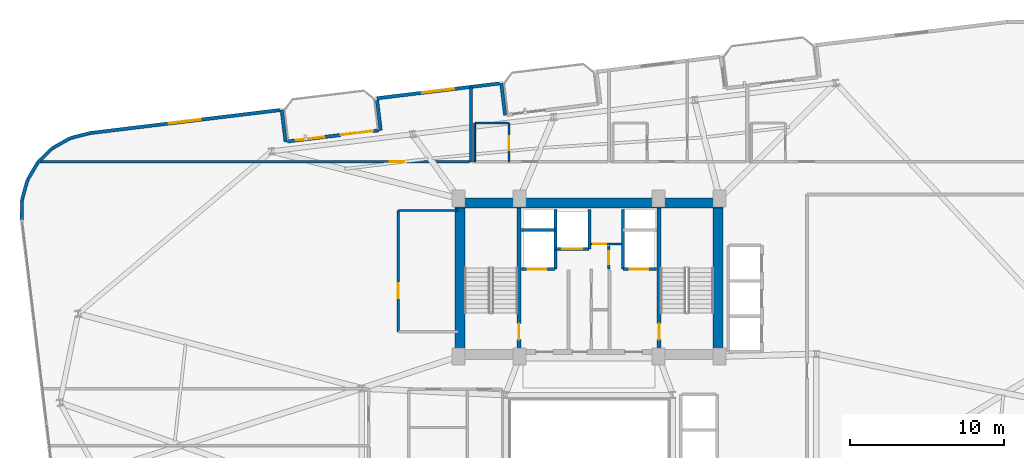
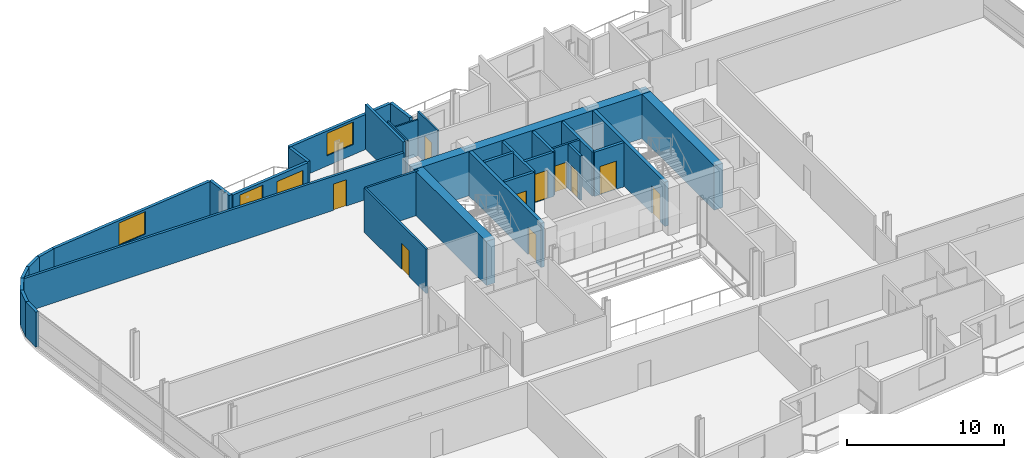
# One storey, part 16 of 22: 33 walls, 11 doors, 3 windows, 14 openings.
"""IFC4 building model written with IfcOpenShell, lengths in metres."""

from ifc_helpers import new_model, si_unit, direction, frame, frame_2d, origin, place, context, subcontext, project, spatial, rectangle, extrude, material, layer, layer_set, type_object, element, fill, save


model = new_model("IFC4")

# Units and contexts
model_context = context("Model", 3, precision=1e-05, world=origin(), true_north=direction((0.0, 1.0)))
body_context = subcontext(model_context, "Body", "Model", "MODEL_VIEW")
ifc_project = project(units=[si_unit("LENGTHUNIT", "METRE"), si_unit("AREAUNIT", "SQUARE_METRE"), si_unit("VOLUMEUNIT", "CUBIC_METRE"), si_unit("PLANEANGLEUNIT", "RADIAN"), si_unit("MASSUNIT", "GRAM", prefix="KILO")], contexts=[model_context])

# Site, building, storey
site_placement = place(None, origin())
site = spatial("IfcSite", under=ifc_project, at=site_placement, CompositionType="ELEMENT")
building_placement = place(site_placement, origin())
building = spatial("IfcBuilding", under=site, at=building_placement, Name="Varnelok Gate Tower", CompositionType="ELEMENT")
storey_placement = place(building_placement, frame((0.0, 0.0, 185.699951171875)))
storey = spatial("IfcBuildingStorey", under=building, at=storey_placement, Name="L47", CompositionType="ELEMENT", Elevation=185.699951171875)

# Wall, openings, door, window
ifc_material_1 = material(Name="Concrete C45/55", Category="concrete")
ifc_layer_1 = layer(ifc_material_1, 0.219970703125)
ifc_layer_set_1 = layer_set([ifc_layer_1], Name="Concrete C45/55")
wall_type_1 = type_object("IfcWallType", Name="EW-BALC-220", PredefinedType="SOLIDWALL", material=ifc_layer_set_1)
wall_1_placement = place(storey_placement, frame((19.556884765625, 42.7529296875, 0.0), z_axis=(0.0, 0.0, 1.0), x_axis=(0.992729951822, 0.120362962556, 0.0)))
wall_1 = element("IfcWall", 1, at=wall_1_placement, inside=storey, type_object=wall_type_1, Name="L47 North Terrace Envelope Wall 4", PredefinedType="SOLIDWALL", context=body_context, shape_type="SweptSolid", body=[
    extrude(rectangle(XDim=6.0, YDim=0.219970703125, at=frame_2d((3.0, 0.0))), origin(), (0.0, 0.0, 1.0), 2.72998046875),
])
opening_1_placement = place(wall_1_placement, frame((3.5, 0.0, 0.0)))
opening_1 = element("IfcOpeningElement", 2, at=opening_1_placement, cuts=wall_1, Name="Opening BD-2", PredefinedType="OPENING", context=body_context, shape_type="SweptSolid", body=[
    extrude(rectangle(XDim=2.10009765625, YDim=2.300048828125, at=frame_2d((1.050048828125, 1.14990234375))), frame((0.0, 0.119873046875, 0.0), z_axis=(0.0, -1.0, 0.0), x_axis=(1.0, 0.0, 0.0)), (0.0, 0.0, 1.0), 0.239990234375),
])
opening_2_placement = place(wall_1_placement, frame((0.550048828125, 0.0, 0.75)))
opening_2 = element("IfcOpeningElement", 3, at=opening_2_placement, cuts=wall_1, Name="Opening WN5", PredefinedType="OPENING", context=body_context, shape_type="SweptSolid", body=[
    extrude(rectangle(XDim=1.85009765625, YDim=1.75, at=frame_2d((0.925048828125, 0.875))), frame((0.0, 0.119873046875, 0.0), z_axis=(0.0, -1.0, 0.0), x_axis=(1.0, 0.0, 0.0)), (0.0, 0.0, 1.0), 0.239990234375),
])
ifc_material_2 = material(Name="Anodized Aluminum Alloy 6063-T6", Category="aluminium")
door_type_1 = type_object("IfcDoorType", Name="DR-EXT-SLID2100", OperationType="SLIDING_TO_LEFT", PredefinedType="DOOR", material=ifc_material_2)
door_1_placement = place(opening_1_placement, origin())
door_1 = element("IfcDoor", 4, at=door_1_placement, inside=storey, type_object=door_type_1, Name="L47 North Balcony Glazed Door 4", OperationType="SLIDING_TO_LEFT", OverallHeight=2.300048828125, OverallWidth=2.10009765625, PredefinedType="DOOR", context=body_context, shape_type="SweptSolid", body=[
    extrude(rectangle(XDim=2.10009765625, YDim=2.300048828125, at=frame_2d((1.050048828125, 1.14990234375))), frame((0.0, 0.02490234375, 0.0), z_axis=(0.0, -1.0, 0.0), x_axis=(1.0, 0.0, 0.0)), (0.0, 0.0, 1.0), 0.050048828125),
])
fill(opening_1, door_1)
ifc_material_3 = material(Name="Low-E Laminated Double Glazing IGU", Category="glass")
window_type_1 = type_object("IfcWindowType", Name="WN-RES-1850", PartitioningType="SINGLE_PANEL", PredefinedType="WINDOW", material=ifc_material_3)
window_1_placement = place(opening_2_placement, origin())
window_1 = element("IfcWindow", 5, at=window_1_placement, inside=storey, type_object=window_type_1, Name="L47 North Vision Window 4.1", OverallHeight=1.75, OverallWidth=1.85009765625, PartitioningType="SINGLE_PANEL", PredefinedType="WINDOW", context=body_context, shape_type="SweptSolid", body=[
    extrude(rectangle(XDim=1.85009765625, YDim=1.75, at=frame_2d((0.925048828125, 0.875))), frame((0.0, 0.030029296875, 0.0), z_axis=(0.0, -1.0, 0.0), x_axis=(1.0, 0.0, 0.0)), (0.0, 0.0, 1.0), 0.06005859375),
])
fill(opening_2, window_1)

# Wall
wall_2_placement = place(storey_placement, frame((33.734375, 44.46142578125, 0.0), z_axis=(0.0, 0.0, 1.0), x_axis=(-0.120327895535, 0.992734202874, 0.0)))
element("IfcWall", 6, at=wall_2_placement, inside=storey, type_object=wall_type_1, Name="L47 Perimeter Facade Closure Wall 34", PredefinedType="SOLIDWALL", context=body_context, shape_type="SweptSolid", body=[
    extrude(rectangle(XDim=2.099853515625, YDim=0.219970703125, at=frame_2d((1.0498046875, 0.0))), origin(), (0.0, 0.0, 1.0), 2.72998046875),
])

# Wall, opening, window
wall_3_placement = place(storey_placement, frame((33.357421875, 46.53125, 0.0), z_axis=(0.0, 0.0, 1.0), x_axis=(-0.992731032022, -0.120354052946, 0.0)))
wall_3 = element("IfcWall", 7, at=wall_3_placement, inside=storey, type_object=wall_type_1, Name="L47 Perimeter Facade Closure Wall 35", PredefinedType="SOLIDWALL", context=body_context, shape_type="SweptSolid", body=[
    extrude(rectangle(XDim=8.034912109375, YDim=0.219970703125, at=frame_2d((4.017578125, 0.0))), origin(), (0.0, 0.0, 1.0), 2.72998046875),
])
opening_3_placement = place(wall_3_placement, frame((2.967529296875, 0.0, 0.800048828125)))
opening_3 = element("IfcOpeningElement", 8, at=opening_3_placement, cuts=wall_3, Name="Opening WN4", PredefinedType="OPENING", context=body_context, shape_type="SweptSolid", body=[
    extrude(rectangle(XDim=2.10009765625, YDim=1.75, at=frame_2d((1.050048828125, 0.875))), frame((0.0, 0.119873046875, 0.0), z_axis=(0.0, -1.0, 0.0), x_axis=(1.0, 0.0, 0.0)), (0.0, 0.0, 1.0), 0.239990234375),
])
window_type_2 = type_object("IfcWindowType", Name="WN-SUI-2100", PartitioningType="SINGLE_PANEL", PredefinedType="WINDOW", material=ifc_material_3)
window_2_placement = place(opening_3_placement, origin())
window_2 = element("IfcWindow", 9, at=window_2_placement, inside=storey, type_object=window_type_2, Name="L47 Perimeter Vision Window 35", OverallHeight=1.75, OverallWidth=2.10009765625, PartitioningType="SINGLE_PANEL", PredefinedType="WINDOW", context=body_context, shape_type="SweptSolid", body=[
    extrude(rectangle(XDim=2.10009765625, YDim=1.75, at=frame_2d((1.050048828125, 0.875))), frame((0.0, 0.030029296875, 0.0), z_axis=(0.0, -1.0, 0.0), x_axis=(1.0, 0.0, 0.0)), (0.0, 0.0, 1.0), 0.06005859375),
])
fill(opening_3, window_2)

# Walls
wall_4_placement = place(storey_placement, frame((25.39599609375, 45.440185546875, 0.0), z_axis=(0.0, 0.0, 1.0), x_axis=(0.120275992932, -0.992740492538, 0.0)))
element("IfcWall", 10, at=wall_4_placement, inside=storey, type_object=wall_type_1, Name="L47 Perimeter Facade Closure Wall 36", PredefinedType="SOLIDWALL", context=body_context, shape_type="SweptSolid", body=[
    extrude(rectangle(XDim=1.97509765625, YDim=0.219970703125, at=frame_2d((0.987548828125, 0.0))), origin(), (0.0, 0.0, 1.0), 2.72998046875),
])
wall_5_placement = place(storey_placement, frame((19.43896484375, 42.728515625, 0.0), z_axis=(0.0, 0.0, 1.0), x_axis=(-0.120327895535, 0.992734202874, 0.0)))
element("IfcWall", 11, at=wall_5_placement, inside=storey, type_object=wall_type_1, Name="L47 Perimeter Facade Closure Wall 37", PredefinedType="SOLIDWALL", context=body_context, shape_type="SweptSolid", body=[
    extrude(rectangle(XDim=2.099853515625, YDim=0.219970703125, at=frame_2d((1.0498046875, 0.0))), origin(), (0.0, 0.0, 1.0), 2.72998046875),
])

# Wall, opening, window
wall_6_placement = place(storey_placement, frame((19.06201171875, 44.798095703125, 0.0), z_axis=(0.0, 0.0, 1.0), x_axis=(-0.992733569027, -0.120333124809, 0.0)))
wall_6 = element("IfcWall", 12, at=wall_6_placement, inside=storey, type_object=wall_type_1, Name="L47 Perimeter Facade Closure Wall 38", PredefinedType="SOLIDWALL", context=body_context, shape_type="SweptSolid", body=[
    extrude(rectangle(XDim=12.447021484375, YDim=0.219970703125, at=frame_2d((6.2236328125, 0.0))), origin(), (0.0, 0.0, 1.0), 2.72998046875),
])
opening_4_placement = place(wall_6_placement, frame((5.173583984375, 0.0, 0.800048828125)))
opening_4 = element("IfcOpeningElement", 13, at=opening_4_placement, cuts=wall_6, Name="Opening WN4", PredefinedType="OPENING", context=body_context, shape_type="SweptSolid", body=[
    extrude(rectangle(XDim=2.10009765625, YDim=1.75, at=frame_2d((1.050048828125, 0.875))), frame((0.0, 0.119873046875, 0.0), z_axis=(0.0, -1.0, 0.0), x_axis=(1.0, 0.0, 0.0)), (0.0, 0.0, 1.0), 0.239990234375),
])
window_3_placement = place(opening_4_placement, origin())
window_3 = element("IfcWindow", 14, at=window_3_placement, inside=storey, type_object=window_type_2, Name="L47 Perimeter Vision Window 38", OverallHeight=1.75, OverallWidth=2.10009765625, PartitioningType="SINGLE_PANEL", PredefinedType="WINDOW", context=body_context, shape_type="SweptSolid", body=[
    extrude(rectangle(XDim=2.10009765625, YDim=1.75, at=frame_2d((1.050048828125, 0.875))), frame((0.0, 0.030029296875, 0.0), z_axis=(0.0, -1.0, 0.0), x_axis=(1.0, 0.0, 0.0)), (0.0, 0.0, 1.0), 0.06005859375),
])
fill(opening_4, window_3)

# Walls
wall_7_placement = place(storey_placement, frame((6.68115234375, 43.294189453125, 0.0), z_axis=(0.0, 0.0, 1.0), x_axis=(-0.968496788899, -0.2490260426, 0.0)))
element("IfcWall", 15, at=wall_7_placement, inside=storey, type_object=wall_type_1, Name="L47 Perimeter Facade Closure Wall 39", PredefinedType="SOLIDWALL", context=body_context, shape_type="SweptSolid", body=[
    extrude(rectangle(XDim=1.308837890625, YDim=0.219970703125, at=frame_2d((0.654296875, 0.0))), origin(), (0.0, 0.0, 1.0), 2.72998046875),
])
for number, where, z_axis, x_axis, name in (
    (16, (5.391845703125, 42.9560546875, 0.0), (0.0, 0.0, 1.0), (-0.87105877335, -0.491178799797, 0.0), "L47 Perimeter Facade Closure Wall 40"),
    (17, (4.24072265625, 42.299560546875, 0.0), (0.0, 0.0, 1.0), (-0.714389219205, -0.699748557329, 0.0), "L47 Perimeter Facade Closure Wall 41"),
):
    element("IfcWall", number, at=place(storey_placement, frame(where, z_axis=z_axis, x_axis=x_axis)), inside=storey, type_object=wall_type_1, Name=name, PredefinedType="SOLIDWALL", context=body_context, shape_type="SweptSolid", body=[
        extrude(rectangle(XDim=1.30078125, YDim=0.219970703125, at=frame_2d((0.650390625, 0.0))), origin(), (0.0, 0.0, 1.0), 2.72998046875),
    ])
wall_8_placement = place(storey_placement, frame((3.298583984375, 41.367919921875, 0.0), z_axis=(0.0, 0.0, 1.0), x_axis=(-0.508716668029, -0.860933999601, 0.0)))
element("IfcWall", 18, at=wall_8_placement, inside=storey, type_object=wall_type_1, Name="L47 Perimeter Facade Closure Wall 42", PredefinedType="SOLIDWALL", context=body_context, shape_type="SweptSolid", body=[
    extrude(rectangle(XDim=1.301025390625, YDim=0.219970703125, at=frame_2d((0.650390625, 0.0))), origin(), (0.0, 0.0, 1.0), 2.72998046875),
])
for number, where, z_axis, x_axis, name in (
    (19, (2.630126953125, 40.223876953125, 0.0), (0.0, 0.0, 1.0), (-0.26876657226, -0.963205341366, 0.0), "L47 Perimeter Facade Closure Wall 43"),
    (20, (2.2802734375, 38.94580078125, 0.0), (0.0, 0.0, 1.0), (-0.01013461463, -0.999948643474, 0.0), "L47 Perimeter Facade Closure Wall 44"),
):
    element("IfcWall", number, at=place(storey_placement, frame(where, z_axis=z_axis, x_axis=x_axis)), inside=storey, type_object=wall_type_1, Name=name, PredefinedType="SOLIDWALL", context=body_context, shape_type="SweptSolid", body=[
        extrude(rectangle(XDim=1.30078125, YDim=0.219970703125, at=frame_2d((0.650390625, 0.0))), origin(), (0.0, 0.0, 1.0), 2.72998046875),
    ])

# Wall, opening, door
ifc_material_4 = material(Name="Gypsum Plasterboard Acoustic Partition", Category="gypsum")
ifc_layer_2 = layer(ifc_material_4, 0.179931640625)
ifc_layer_set_2 = layer_set([ifc_layer_2], Name="Gypsum Plasterboard Acoustic Partition")
wall_type_2 = type_object("IfcWallType", Name="PW-CORR-180", PredefinedType="PARTITIONING", material=ifc_layer_set_2)
wall_9_placement = place(storey_placement, frame((3.39306640625, 41.429931640625, 0.0), z_axis=(0.0, 0.0, 1.0), x_axis=(1.0, 0.0, 0.0)))
wall_9 = element("IfcWall", 21, at=wall_9_placement, inside=storey, type_object=wall_type_2, Name="Interior Partition", PredefinedType="PARTITIONING", context=body_context, shape_type="SweptSolid", body=[
    extrude(rectangle(XDim=28.02685546875, YDim=0.179931640625, at=frame_2d((14.013427734375, 0.0))), origin(), (0.0, 0.0, 1.0), 2.662109375),
])
opening_5_placement = place(wall_9_placement, frame((22.83203125, 0.0, 0.0)))
opening_5 = element("IfcOpeningElement", 22, at=opening_5_placement, cuts=wall_9, Name="Opening D-I2", PredefinedType="OPENING", context=body_context, shape_type="SweptSolid", body=[
    extrude(rectangle(XDim=0.949951171875, YDim=2.050048828125, at=frame_2d((0.47509765625, 1.02490234375))), frame((0.0, 0.099853515625, 0.0), z_axis=(0.0, -1.0, 0.0), x_axis=(1.0, 0.0, 0.0)), (0.0, 0.0, 1.0), 0.199951171875),
])
ifc_material_5 = material(Name="Engineered Hardwood Timber", Category="wood")
door_type_2 = type_object("IfcDoorType", Name="DR-INT-950", OperationType="NOTDEFINED", PredefinedType="DOOR", material=ifc_material_5)
door_2_placement = place(opening_5_placement, origin())
door_2 = element("IfcDoor", 23, at=door_2_placement, inside=storey, type_object=door_type_2, Name="L47 Sky Library Door", OperationType="SINGLE_SWING_LEFT", OverallHeight=2.050048828125, OverallWidth=0.949951171875, PredefinedType="DOOR", context=body_context, shape_type="SweptSolid", body=[
    extrude(rectangle(XDim=0.949951171875, YDim=2.050048828125, at=frame_2d((0.47509765625, 1.02490234375))), frame((0.0, 0.02490234375, 0.0), z_axis=(0.0, -1.0, 0.0), x_axis=(1.0, 0.0, 0.0)), (0.0, 0.0, 1.0), 0.050048828125),
])
fill(opening_5, door_2)

# Wall
ifc_layer_3 = layer(ifc_material_4, 0.114990234375)
ifc_layer_set_3 = layer_set([ifc_layer_3], Name="Gypsum Plasterboard Acoustic Partition")
wall_type_3 = type_object("IfcWallType", Name="PW-ENS-125", PredefinedType="PARTITIONING", material=ifc_layer_set_3)
wall_10_placement = place(storey_placement, frame((31.800048828125, 43.949951171875, 0.0), z_axis=(0.0, 0.0, 1.0), x_axis=(1.0, 0.0, 0.0)))
element("IfcWall", 24, at=wall_10_placement, inside=storey, type_object=wall_type_3, Name="Interior Partition", PredefinedType="PARTITIONING", context=body_context, shape_type="SweptSolid", body=[
    extrude(rectangle(XDim=2.14990234375, YDim=0.114990234375, at=frame_2d((1.074951171875, 0.0))), origin(), (0.0, 0.0, 1.0), 2.823974609375),
])

# Wall, opening, door
wall_11_placement = place(storey_placement, frame((33.989990234375, 41.429931640625, 0.0), z_axis=(0.0, 0.0, 1.0), x_axis=(0.0, 1.0, 0.0)))
wall_11 = element("IfcWall", 25, at=wall_11_placement, inside=storey, type_object=wall_type_3, Name="Interior Partition", PredefinedType="PARTITIONING", context=body_context, shape_type="SweptSolid", body=[
    extrude(rectangle(XDim=2.52001953125, YDim=0.114990234375, at=frame_2d((1.260009765625, 0.0))), origin(), (0.0, 0.0, 1.0), 3.449951171875),
])
opening_6_placement = place(wall_11_placement, frame((0.760009765625, 0.0, 0.0)))
opening_6 = element("IfcOpeningElement", 26, at=opening_6_placement, cuts=wall_11, Name="Opening D-WC", PredefinedType="OPENING", context=body_context, shape_type="SweptSolid", body=[
    extrude(rectangle(XDim=0.89990234375, YDim=2.050048828125, at=frame_2d((0.449951171875, 1.02490234375))), frame((0.0, 0.0673828125, 0.0), z_axis=(0.0, -1.0, 0.0), x_axis=(1.0, 0.0, 0.0)), (0.0, 0.0, 1.0), 0.135009765625),
])
door_type_3 = type_object("IfcDoorType", Name="DR-BATH-900", OperationType="NOTDEFINED", PredefinedType="DOOR", material=ifc_material_5)
door_3_placement = place(opening_6_placement, origin())
door_3 = element("IfcDoor", 27, at=door_3_placement, inside=storey, type_object=door_type_3, Name="L47 North En-Suite 06 Door", OperationType="SINGLE_SWING_RIGHT", OverallHeight=2.050048828125, OverallWidth=0.89990234375, PredefinedType="DOOR", context=body_context, shape_type="SweptSolid", body=[
    extrude(rectangle(XDim=0.89990234375, YDim=2.050048828125, at=frame_2d((0.449951171875, 1.02490234375))), frame((0.0, 0.02490234375, 0.0), z_axis=(0.0, -1.0, 0.0), x_axis=(1.0, 0.0, 0.0)), (0.0, 0.0, 1.0), 0.050048828125),
])
fill(opening_6, door_3)

# Wall
wall_12_placement = place(storey_placement, frame((31.760009765625, 41.429931640625, 0.0), z_axis=(0.0, 0.0, 1.0), x_axis=(0.0, 1.0, 0.0)))
element("IfcWall", 28, at=wall_12_placement, inside=storey, type_object=wall_type_3, Name="Interior Partition", PredefinedType="PARTITIONING", context=body_context, shape_type="SweptSolid", body=[
    extrude(rectangle(XDim=2.52001953125, YDim=0.114990234375, at=frame_2d((1.260009765625, 0.0))), origin(), (0.0, 0.0, 1.0), 3.449951171875),
])

# Wall, opening, door
ifc_layer_4 = layer(ifc_material_4, 0.14990234375)
ifc_layer_set_4 = layer_set([ifc_layer_4], Name="Gypsum Plasterboard Acoustic Partition")
wall_type_4 = type_object("IfcWallType", Name="PW-PART-150", PredefinedType="PARTITIONING", material=ifc_layer_set_4)
wall_13_placement = place(storey_placement, frame((39.300048828125, 36.080078125, 0.0), z_axis=(0.0, 0.0, 1.0), x_axis=(1.0, 0.0, 0.0)))
wall_13 = element("IfcWall", 29, at=wall_13_placement, inside=storey, type_object=wall_type_4, Name="L47 Electrical Closet South Wall", PredefinedType="PARTITIONING", context=body_context, shape_type="SweptSolid", body=[
    extrude(rectangle(XDim=2.02001953125, YDim=0.14990234375, at=frame_2d((1.010009765625, 0.0))), origin(), (0.0, 0.0, 1.0), 3.449951171875),
])
opening_7_placement = place(wall_13_placement, frame((0.179931640625, 0.0, 0.0)))
opening_7 = element("IfcOpeningElement", 30, at=opening_7_placement, cuts=wall_13, Name="Opening D-RS", PredefinedType="OPENING", context=body_context, shape_type="SweptSolid", body=[
    extrude(rectangle(XDim=0.85009765625, YDim=2.050048828125, at=frame_2d((0.425048828125, 1.02490234375))), frame((0.0, 0.0849609375, 0.0), z_axis=(0.0, -1.0, 0.0), x_axis=(1.0, 0.0, 0.0)), (0.0, 0.0, 1.0), 0.169921875),
])
ifc_material_6 = material(Name="Galvanized Steel Grade S350GD", Category="steel")
door_type_4 = type_object("IfcDoorType", Name="DR-RISER-850", OperationType="NOTDEFINED", PredefinedType="DOOR", material=ifc_material_6)
door_4_placement = place(opening_7_placement, origin())
door_4 = element("IfcDoor", 31, at=door_4_placement, inside=storey, type_object=door_type_4, Name="L47 Electrical Closet Door", OperationType="SINGLE_SWING_RIGHT", OverallHeight=2.050048828125, OverallWidth=0.85009765625, PredefinedType="DOOR", context=body_context, shape_type="SweptSolid", body=[
    extrude(rectangle(XDim=0.85009765625, YDim=2.050048828125, at=frame_2d((0.425048828125, 1.02490234375))), frame((0.0, 0.02490234375, 0.0), z_axis=(0.0, -1.0, 0.0), x_axis=(1.0, 0.0, 0.0)), (0.0, 0.0, 1.0), 0.050048828125),
])
fill(opening_7, door_4)

wall_14_placement = place(storey_placement, frame((40.47998046875, 34.43994140625, 0.0), z_axis=(0.0, 0.0, 1.0), x_axis=(0.0, 1.0, 0.0)))
wall_14 = element("IfcWall", 32, at=wall_14_placement, inside=storey, type_object=wall_type_4, Name="L47 Telecoms Closet West Wall", PredefinedType="PARTITIONING", context=body_context, shape_type="SweptSolid", body=[
    extrude(rectangle(XDim=1.52001953125, YDim=0.14990234375, at=frame_2d((0.760009765625, 0.0))), origin(), (0.0, 0.0, 1.0), 3.449951171875),
])
opening_8_placement = place(wall_14_placement, frame((0.320068359375, 0.0, 0.0)))
opening_8 = element("IfcOpeningElement", 33, at=opening_8_placement, cuts=wall_14, Name="Opening D-RS", PredefinedType="OPENING", context=body_context, shape_type="SweptSolid", body=[
    extrude(rectangle(XDim=0.85009765625, YDim=2.050048828125, at=frame_2d((0.425048828125, 1.02490234375))), frame((0.0, 0.0849609375, 0.0), z_axis=(0.0, -1.0, 0.0), x_axis=(1.0, 0.0, 0.0)), (0.0, 0.0, 1.0), 0.169921875),
])
door_5_placement = place(opening_8_placement, origin())
door_5 = element("IfcDoor", 34, at=door_5_placement, inside=storey, type_object=door_type_4, Name="L47 Telecoms Closet Door", OperationType="SINGLE_SWING_LEFT", OverallHeight=2.050048828125, OverallWidth=0.85009765625, PredefinedType="DOOR", context=body_context, shape_type="SweptSolid", body=[
    extrude(rectangle(XDim=0.85009765625, YDim=2.050048828125, at=frame_2d((0.425048828125, 1.02490234375))), frame((0.0, 0.02490234375, 0.0), z_axis=(0.0, -1.0, 0.0), x_axis=(1.0, 0.0, 0.0)), (0.0, 0.0, 1.0), 0.050048828125),
])
fill(opening_8, door_5)

# Wall
wall_15_placement = place(storey_placement, frame((26.780029296875, 38.260009765625, 0.0), z_axis=(0.0, 0.0, 1.0), x_axis=(1.0, 0.0, 0.0)))
element("IfcWall", 35, at=wall_15_placement, inside=storey, type_object=wall_type_4, Name="Interior Partition", PredefinedType="PARTITIONING", context=body_context, shape_type="SweptSolid", body=[
    extrude(rectangle(XDim=3.89990234375, YDim=0.14990234375, at=frame_2d((1.949951171875, 0.0))), origin(), (0.0, 0.0, 1.0), 3.449951171875),
])

# Wall, opening, door
wall_16_placement = place(storey_placement, frame((26.780029296875, 30.360107421875, 0.0), z_axis=(0.0, 0.0, 1.0), x_axis=(0.0, 1.0, 0.0)))
wall_16 = element("IfcWall", 36, at=wall_16_placement, inside=storey, type_object=wall_type_4, Name="Interior Partition", PredefinedType="PARTITIONING", context=body_context, shape_type="SweptSolid", body=[
    extrude(rectangle(XDim=7.89990234375, YDim=0.14990234375, at=frame_2d((3.949951171875, 0.0))), origin(), (0.0, 0.0, 1.0), 3.449951171875),
])
opening_9_placement = place(wall_16_placement, frame((2.199951171875, 0.0, 0.0)))
opening_9 = element("IfcOpeningElement", 37, at=opening_9_placement, cuts=wall_16, Name="Opening D-I2", PredefinedType="OPENING", context=body_context, shape_type="SweptSolid", body=[
    extrude(rectangle(XDim=0.949951171875, YDim=2.050048828125, at=frame_2d((0.47509765625, 1.02490234375))), frame((0.0, 0.0849609375, 0.0), z_axis=(0.0, -1.0, 0.0), x_axis=(1.0, 0.0, 0.0)), (0.0, 0.0, 1.0), 0.169921875),
])
door_6_placement = place(opening_9_placement, origin())
door_6 = element("IfcDoor", 38, at=door_6_placement, inside=storey, type_object=door_type_2, Name="L47 Core Valet Door", OperationType="SINGLE_SWING_RIGHT", OverallHeight=2.050048828125, OverallWidth=0.949951171875, PredefinedType="DOOR", context=body_context, shape_type="SweptSolid", body=[
    extrude(rectangle(XDim=0.949951171875, YDim=2.050048828125, at=frame_2d((0.47509765625, 1.02490234375))), frame((0.0, 0.02490234375, 0.0), z_axis=(0.0, -1.0, 0.0), x_axis=(1.0, 0.0, 0.0)), (0.0, 0.0, 1.0), 0.050048828125),
])
fill(opening_9, door_6)

# Wall
ifc_layer_5 = layer(ifc_material_4, 0.205078125)
ifc_layer_set_5 = layer_set([ifc_layer_5], Name="Gypsum Plasterboard Acoustic Partition")
wall_type_5 = type_object("IfcWallType", Name="PW-PARTY-200", PredefinedType="PARTITIONING", material=ifc_layer_set_5)
wall_17_placement = place(storey_placement, frame((31.5, 41.429931640625, 0.0), z_axis=(0.0, 0.0, 1.0), x_axis=(0.0, 1.0, 0.0)))
element("IfcWall", 39, at=wall_17_placement, inside=storey, type_object=wall_type_5, Name="L47 North Party Wall 1", PredefinedType="PARTITIONING", context=body_context, shape_type="SweptSolid", body=[
    extrude(rectangle(XDim=4.85595703125, YDim=0.205078125, at=frame_2d((2.427978515625, 0.0))), origin(), (0.0, 0.0, 1.0), 3.449951171875),
])

# Wall, opening, door
ifc_material_7 = material(Name="Concrete C35/45", Category="concrete")
ifc_layer_6 = layer(ifc_material_7, 0.199951171875)
ifc_layer_set_6 = layer_set([ifc_layer_6], Name="Concrete C35/45")
wall_type_6 = type_object("IfcWallType", Name="PW-SHAFT-200", PredefinedType="PARTITIONING", material=ifc_layer_set_6)
wall_18_placement = place(storey_placement, frame((34.800048828125, 34.43994140625, 0.0), z_axis=(0.0, 0.0, 1.0), x_axis=(1.0, 0.0, 0.0)))
wall_18 = element("IfcWall", 40, at=wall_18_placement, inside=storey, type_object=wall_type_6, Name="L47 FF1 Shaft Front Wall", PredefinedType="PARTITIONING", context=body_context, shape_type="SweptSolid", body=[
    extrude(rectangle(XDim=2.179931640625, YDim=0.199951171875, at=frame_2d((1.08984375, 0.0))), origin(), (0.0, 0.0, 1.0), 3.449951171875),
])
opening_10_placement = place(wall_18_placement, frame((0.419921875, 0.0, 0.0)))
opening_10 = element("IfcOpeningElement", 41, at=opening_10_placement, cuts=wall_18, Name="Opening LD-FF1", PredefinedType="OPENING", context=body_context, shape_type="SweptSolid", body=[
    extrude(rectangle(XDim=1.199951171875, YDim=2.199951171875, at=frame_2d((0.60009765625, 1.10009765625))), frame((0.0, 0.10986328125, 0.0), z_axis=(0.0, -1.0, 0.0), x_axis=(1.0, 0.0, 0.0)), (0.0, 0.0, 1.0), 0.219970703125),
])
door_type_5 = type_object("IfcDoorType", Name="DR-LIFT-FF1200", OperationType="SLIDING_TO_LEFT", PredefinedType="DOOR", material=ifc_material_6)
door_7_placement = place(opening_10_placement, origin())
door_7 = element("IfcDoor", 42, at=door_7_placement, inside=storey, type_object=door_type_5, Name="L47 Firefighting Lift Landing Door LD-FF1", OperationType="SLIDING_TO_LEFT", OverallHeight=2.199951171875, OverallWidth=1.199951171875, PredefinedType="DOOR", context=body_context, shape_type="SweptSolid", body=[
    extrude(rectangle(XDim=1.199951171875, YDim=2.199951171875, at=frame_2d((0.60009765625, 1.10009765625))), frame((0.0, 0.02490234375, 0.0), z_axis=(0.0, -1.0, 0.0), x_axis=(1.0, 0.0, 0.0)), (0.0, 0.0, 1.0), 0.050048828125),
])
fill(opening_10, door_7)

# Walls
wall_19_placement = place(storey_placement, frame((34.800048828125, 36.97998046875, 0.0), z_axis=(0.0, 0.0, 1.0), x_axis=(1.0, 0.0, 0.0)))
element("IfcWall", 43, at=wall_19_placement, inside=storey, type_object=wall_type_6, Name="L47 FF1 Shaft North Wall", PredefinedType="PARTITIONING", context=body_context, shape_type="SweptSolid", body=[
    extrude(rectangle(XDim=2.179931640625, YDim=0.199951171875, at=frame_2d((1.08984375, 0.0))), origin(), (0.0, 0.0, 1.0), 3.449951171875),
])
wall_20_placement = place(storey_placement, frame((37.0, 34.43994140625, 0.0), z_axis=(0.0, 0.0, 1.0), x_axis=(0.0, 1.0, 0.0)))
element("IfcWall", 44, at=wall_20_placement, inside=storey, type_object=wall_type_6, Name="L47 FF1 Shaft Side Wall", PredefinedType="PARTITIONING", context=body_context, shape_type="SweptSolid", body=[
    extrude(rectangle(XDim=3.900146484375, YDim=0.199951171875, at=frame_2d((1.9501953125, 0.0))), origin(), (0.0, 0.0, 1.0), 3.449951171875),
])

# Wall, opening, door
wall_21_placement = place(storey_placement, frame((41.419921875, 34.43994140625, 0.0), z_axis=(0.0, 0.0, 1.0), x_axis=(1.0, 0.0, 0.0)))
wall_21 = element("IfcWall", 45, at=wall_21_placement, inside=storey, type_object=wall_type_6, Name="L47 FF2 Shaft Front Wall", PredefinedType="PARTITIONING", context=body_context, shape_type="SweptSolid", body=[
    extrude(rectangle(XDim=2.18017578125, YDim=0.199951171875, at=frame_2d((1.090087890625, 0.0))), origin(), (0.0, 0.0, 1.0), 3.449951171875),
])
opening_11_placement = place(wall_21_placement, frame((0.419921875, 0.0, 0.0)))
opening_11 = element("IfcOpeningElement", 46, at=opening_11_placement, cuts=wall_21, Name="Opening LD-FF2", PredefinedType="OPENING", context=body_context, shape_type="SweptSolid", body=[
    extrude(rectangle(XDim=1.199951171875, YDim=2.199951171875, at=frame_2d((0.60009765625, 1.10009765625))), frame((0.0, 0.10986328125, 0.0), z_axis=(0.0, -1.0, 0.0), x_axis=(1.0, 0.0, 0.0)), (0.0, 0.0, 1.0), 0.219970703125),
])
door_8_placement = place(opening_11_placement, origin())
door_8 = element("IfcDoor", 47, at=door_8_placement, inside=storey, type_object=door_type_5, Name="L47 Firefighting Lift Landing Door LD-FF2", OperationType="SLIDING_TO_LEFT", OverallHeight=2.199951171875, OverallWidth=1.199951171875, PredefinedType="DOOR", context=body_context, shape_type="SweptSolid", body=[
    extrude(rectangle(XDim=1.199951171875, YDim=2.199951171875, at=frame_2d((0.60009765625, 1.10009765625))), frame((0.0, 0.02490234375, 0.0), z_axis=(0.0, -1.0, 0.0), x_axis=(1.0, 0.0, 0.0)), (0.0, 0.0, 1.0), 0.050048828125),
])
fill(opening_11, door_8)

# Wall
wall_22_placement = place(storey_placement, frame((41.39990234375, 34.43994140625, 0.0), z_axis=(0.0, 0.0, 1.0), x_axis=(0.0, 1.0, 0.0)))
element("IfcWall", 48, at=wall_22_placement, inside=storey, type_object=wall_type_6, Name="L47 FF2 Shaft Side Wall", PredefinedType="PARTITIONING", context=body_context, shape_type="SweptSolid", body=[
    extrude(rectangle(XDim=3.900146484375, YDim=0.199951171875, at=frame_2d((1.9501953125, 0.0))), origin(), (0.0, 0.0, 1.0), 3.449951171875),
])

# Wall, opening, door
wall_23_placement = place(storey_placement, frame((37.06005859375, 35.75, 0.0), z_axis=(0.0, 0.0, 1.0), x_axis=(1.0, 0.0, 0.0)))
wall_23 = element("IfcWall", 49, at=wall_23_placement, inside=storey, type_object=wall_type_6, Name="L47 SV1 Shaft Front Wall", PredefinedType="PARTITIONING", context=body_context, shape_type="SweptSolid", body=[
    extrude(rectangle(XDim=2.119873046875, YDim=0.199951171875, at=frame_2d((1.06005859375, 0.0))), origin(), (0.0, 0.0, 1.0), 3.449951171875),
])
opening_12_placement = place(wall_23_placement, frame((0.39990234375, 0.0, 0.0)))
opening_12 = element("IfcOpeningElement", 50, at=opening_12_placement, cuts=wall_23, Name="Opening LD-SV1", PredefinedType="OPENING", context=body_context, shape_type="SweptSolid", body=[
    extrude(rectangle(XDim=1.300048828125, YDim=2.199951171875, at=frame_2d((0.64990234375, 1.10009765625))), frame((0.0, 0.10986328125, 0.0), z_axis=(0.0, -1.0, 0.0), x_axis=(1.0, 0.0, 0.0)), (0.0, 0.0, 1.0), 0.219970703125),
])
door_type_6 = type_object("IfcDoorType", Name="DR-LIFT-SV1300", OperationType="SLIDING_TO_LEFT", PredefinedType="DOOR", material=ifc_material_6)
door_9_placement = place(opening_12_placement, origin())
door_9 = element("IfcDoor", 51, at=door_9_placement, inside=storey, type_object=door_type_6, Name="L47 Service Lift Landing Door LD-SV1", OperationType="SLIDING_TO_LEFT", OverallHeight=2.199951171875, OverallWidth=1.300048828125, PredefinedType="DOOR", context=body_context, shape_type="SweptSolid", body=[
    extrude(rectangle(XDim=1.300048828125, YDim=2.199951171875, at=frame_2d((0.64990234375, 1.10009765625))), frame((0.0, 0.02490234375, 0.0), z_axis=(0.0, -1.0, 0.0), x_axis=(1.0, 0.0, 0.0)), (0.0, 0.0, 1.0), 0.050048828125),
])
fill(opening_12, door_9)

# Walls
wall_24_placement = place(storey_placement, frame((39.219970703125, 35.75, 0.0), z_axis=(0.0, 0.0, 1.0), x_axis=(0.0, 1.0, 0.0)))
element("IfcWall", 52, at=wall_24_placement, inside=storey, type_object=wall_type_6, Name="L47 SV1 Shaft East Wall", PredefinedType="PARTITIONING", context=body_context, shape_type="SweptSolid", body=[
    extrude(rectangle(XDim=2.590087890625, YDim=0.199951171875, at=frame_2d((1.294921875, 0.0))), origin(), (0.0, 0.0, 1.0), 3.449951171875),
])
ifc_material_8 = material(Name="Concrete C60/75", Category="concrete")
ifc_layer_7 = layer(ifc_material_8, 0.64990234375)
ifc_layer_set_7 = layer_set([ifc_layer_7], Name="Concrete C60/75")
wall_type_7 = type_object("IfcWallType", Name="SW-CORE-650", PredefinedType="SHEAR", material=ifc_layer_set_7)
wall_25_placement = place(storey_placement, frame((30.47998046875, 38.7451171875, 0.0), z_axis=(0.0, 0.0, 1.0), x_axis=(1.0, 0.0, 0.0)))
element("IfcWall", 53, at=wall_25_placement, inside=storey, type_object=wall_type_7, Name="L47 Rear Core North Shear Wall", PredefinedType="SHEAR", context=body_context, shape_type="SweptSolid", body=[
    extrude(rectangle(XDim=17.43994140625, YDim=0.64990234375, at=frame_2d((8.719970703125, 0.0))), origin(), (0.0, 0.0, 1.0), 3.449951171875),
])
for number, where, z_axis, x_axis, name in (
    (54, (30.804931640625, 29.199951171875, 0.0), (0.0, 0.0, 1.0), (0.0, 1.0, 0.0), "L47 Rear Core West Shear Wall"),
    (55, (47.594970703125, 29.199951171875, 0.0), (0.0, 0.0, 1.0), (0.0, 1.0, 0.0), "L47 Rear Core East Shear Wall"),
):
    element("IfcWall", number, at=place(storey_placement, frame(where, z_axis=z_axis, x_axis=x_axis)), inside=storey, type_object=wall_type_7, Name=name, PredefinedType="SHEAR", context=body_context, shape_type="SweptSolid", body=[
        extrude(rectangle(XDim=9.219970703125, YDim=0.64990234375, at=frame_2d((4.60986328125, 0.0))), origin(), (0.0, 0.0, 1.0), 3.449951171875),
    ])

# Wall, opening, door
ifc_layer_8 = layer(ifc_material_8, 0.25)
ifc_layer_set_8 = layer_set([ifc_layer_8], Name="Concrete C60/75")
wall_type_8 = type_object("IfcWallType", Name="SW-SHAFT-250", PredefinedType="SHEAR", material=ifc_layer_set_8)
wall_26_placement = place(storey_placement, frame((34.639892578125, 29.199951171875, 0.0), z_axis=(0.0, 0.0, 1.0), x_axis=(0.0, 1.0, 0.0)))
wall_26 = element("IfcWall", 56, at=wall_26_placement, inside=storey, type_object=wall_type_8, Name="L47 Stair ST-1 East Shear Wall", PredefinedType="SHEAR", context=body_context, shape_type="SweptSolid", body=[
    extrude(rectangle(XDim=9.219970703125, YDim=0.25, at=frame_2d((4.60986328125, 0.0))), origin(), (0.0, 0.0, 1.0), 3.449951171875),
])
opening_13_placement = place(wall_26_placement, frame((0.64990234375, 0.0, 0.0)))
opening_13 = element("IfcOpeningElement", 57, at=opening_13_placement, cuts=wall_26, Name="Opening D-ST", PredefinedType="OPENING", context=body_context, shape_type="SweptSolid", body=[
    extrude(rectangle(XDim=1.050048828125, YDim=2.14990234375, at=frame_2d((0.52490234375, 1.074951171875))), frame((0.0, 0.135009765625, 0.0), z_axis=(0.0, -1.0, 0.0), x_axis=(1.0, 0.0, 0.0)), (0.0, 0.0, 1.0), 0.27001953125),
])
door_type_7 = type_object("IfcDoorType", Name="DR-STAIR-1050", OperationType="NOTDEFINED", PredefinedType="DOOR", material=ifc_material_6)
door_10_placement = place(opening_13_placement, origin())
door_10 = element("IfcDoor", 58, at=door_10_placement, inside=storey, type_object=door_type_7, Name="L47 Exit Stair ST-1 Fire Door", OperationType="SINGLE_SWING_LEFT", OverallHeight=2.14990234375, OverallWidth=1.050048828125, PredefinedType="DOOR", context=body_context, shape_type="SweptSolid", body=[
    extrude(rectangle(XDim=1.050048828125, YDim=2.14990234375, at=frame_2d((0.52490234375, 1.074951171875))), frame((0.0, 0.02490234375, 0.0), z_axis=(0.0, -1.0, 0.0), x_axis=(1.0, 0.0, 0.0)), (0.0, 0.0, 1.0), 0.050048828125),
])
fill(opening_13, door_10)

wall_27_placement = place(storey_placement, frame((43.760009765625, 29.199951171875, 0.0), z_axis=(0.0, 0.0, 1.0), x_axis=(0.0, 1.0, 0.0)))
wall_27 = element("IfcWall", 59, at=wall_27_placement, inside=storey, type_object=wall_type_8, Name="L47 Stair ST-2 West Shear Wall", PredefinedType="SHEAR", context=body_context, shape_type="SweptSolid", body=[
    extrude(rectangle(XDim=9.219970703125, YDim=0.25, at=frame_2d((4.60986328125, 0.0))), origin(), (0.0, 0.0, 1.0), 3.449951171875),
])
opening_14_placement = place(wall_27_placement, frame((0.64990234375, 0.0, 0.0)))
opening_14 = element("IfcOpeningElement", 60, at=opening_14_placement, cuts=wall_27, Name="Opening D-ST", PredefinedType="OPENING", context=body_context, shape_type="SweptSolid", body=[
    extrude(rectangle(XDim=1.050048828125, YDim=2.14990234375, at=frame_2d((0.52490234375, 1.074951171875))), frame((0.0, 0.135009765625, 0.0), z_axis=(0.0, -1.0, 0.0), x_axis=(1.0, 0.0, 0.0)), (0.0, 0.0, 1.0), 0.27001953125),
])
door_11_placement = place(opening_14_placement, origin())
door_11 = element("IfcDoor", 61, at=door_11_placement, inside=storey, type_object=door_type_7, Name="L47 Exit Stair ST-2 Fire Door", OperationType="SINGLE_SWING_RIGHT", OverallHeight=2.14990234375, OverallWidth=1.050048828125, PredefinedType="DOOR", context=body_context, shape_type="SweptSolid", body=[
    extrude(rectangle(XDim=1.050048828125, YDim=2.14990234375, at=frame_2d((0.52490234375, 1.074951171875))), frame((0.0, 0.02490234375, 0.0), z_axis=(0.0, -1.0, 0.0), x_axis=(1.0, 0.0, 0.0)), (0.0, 0.0, 1.0), 0.050048828125),
])
fill(opening_14, door_11)

save(model, "model.ifc")
